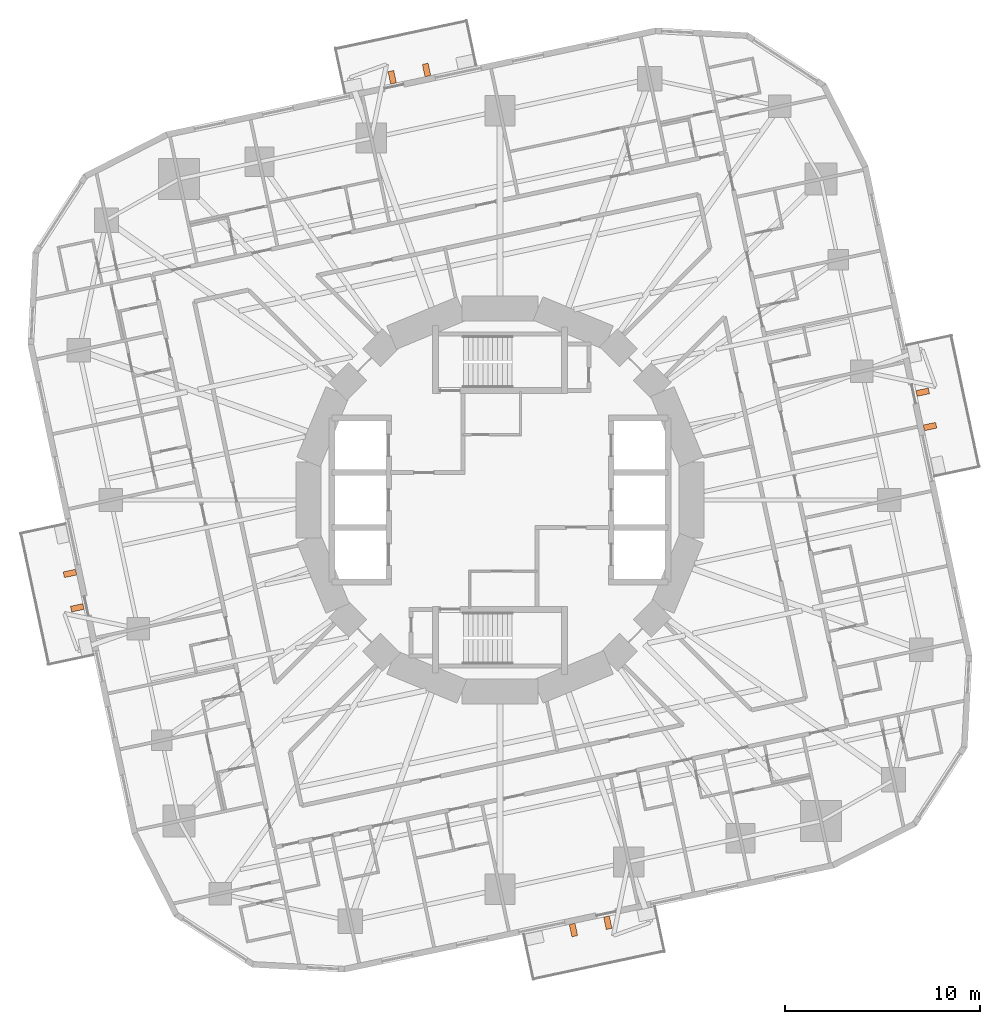
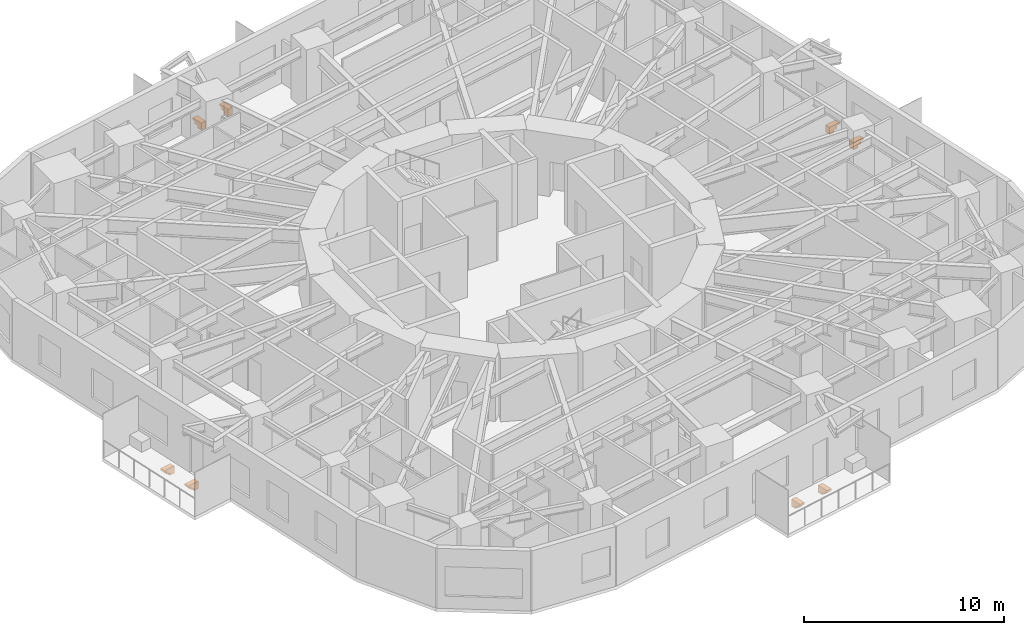
# One storey, part 14 of 14: 8 proxies.
"""IFC4 building model written with IfcOpenShell, lengths in metres."""

from ifc_helpers import new_model, si_unit, direction, frame, origin, place, context, subcontext, project, spatial, polyline, outline, extrude, material, type_object, element, save


model = new_model("IFC4")

# Units and contexts
model_context = context("Model", 3, precision=1e-05, world=origin(), true_north=direction((0.0, 1.0)))
body_context = subcontext(model_context, "Body", "Model", "MODEL_VIEW")
ifc_project = project(units=[si_unit("LENGTHUNIT", "METRE"), si_unit("AREAUNIT", "SQUARE_METRE"), si_unit("VOLUMEUNIT", "CUBIC_METRE"), si_unit("PLANEANGLEUNIT", "RADIAN"), si_unit("MASSUNIT", "GRAM", prefix="KILO")], contexts=[model_context])

# Site, building, storey
site_placement = place(None, origin())
site = spatial("IfcSite", under=ifc_project, at=site_placement, CompositionType="ELEMENT")
building_placement = place(site_placement, origin())
building = spatial("IfcBuilding", under=site, at=building_placement, Name="Nakasero Lantern House", CompositionType="ELEMENT")
storey_placement = place(building_placement, frame((0.0, 0.0, 120.39990234375)))
storey = spatial("IfcBuildingStorey", under=building, at=storey_placement, Name="L29", CompositionType="ELEMENT", Elevation=120.39990234375)

# Proxies
ifc_material = material(Name="Concrete C40/50 precast", Category="concrete")
building_element_proxy_type = type_object("IfcBuildingElementProxyType", Name="Balcony bracket 300", PredefinedType="USERDEFINED", material=ifc_material)
for number, where, z_axis, x_axis, name in (
    (1, (21.706298828125, 3.693603515625, -0.199951171875), (0.0, 0.0, 1.0), (0.978147601, 0.207911691, 0.0), "Balcony bracket L29 0A"),
    (2, (21.33203125, 5.454345703125, -0.199951171875), (0.0, 0.0, 1.0), (0.978147601, 0.207911691, 0.0), "Balcony bracket L29 0B"),
    (3, (-3.693603515625, 21.706298828125, -0.199951171875), (0.0, 0.0, 1.0), (-0.207911691, 0.978147601, 0.0), "Balcony bracket L29 1A"),
    (4, (-5.454345703125, 21.33203125, -0.199951171875), (0.0, 0.0, 1.0), (-0.207911691, 0.978147601, 0.0), "Balcony bracket L29 1B"),
    (5, (-21.706298828125, -3.693603515625, -0.199951171875), (0.0, 0.0, 1.0), (-0.978147601, -0.207911691, 0.0), "Balcony bracket L29 2A"),
    (6, (-21.33203125, -5.454345703125, -0.199951171875), (0.0, 0.0, 1.0), (-0.978147601, -0.207911691, 0.0), "Balcony bracket L29 2B"),
    (7, (3.693603515625, -21.706298828125, -0.199951171875), (0.0, 0.0, 1.0), (0.207911691, -0.978147601, 0.0), "Balcony bracket L29 3A"),
    (8, (5.454345703125, -21.33203125, -0.199951171875), (0.0, 0.0, 1.0), (0.207911691, -0.978147601, 0.0), "Balcony bracket L29 3B"),
):
    element("IfcBuildingElementProxy", number, at=place(storey_placement, frame(where, z_axis=z_axis, x_axis=x_axis)), inside=storey, type_object=building_element_proxy_type, Name=name, ObjectType="BALCONY BRACKET", PredefinedType="USERDEFINED", context=body_context, shape_type="SweptSolid", body=[
        extrude(outline(polyline([(0.0, 0.0), (0.64990234375, 0.0), (0.64990234375, -0.1201171875), (0.5, -0.1201171875), (0.5, -0.280029296875), (0.300048828125, -0.280029296875), (0.300048828125, -0.43994140625), (0.0, -0.43994140625), (0.0, 0.0)])), frame((0.0, 0.14990234375, 0.0), z_axis=(0.0, -1.0, 0.0), x_axis=(1.0, 0.0, 0.0)), (0.0, 0.0, 1.0), 0.300048828125),
    ])

save(model, "model.ifc")
